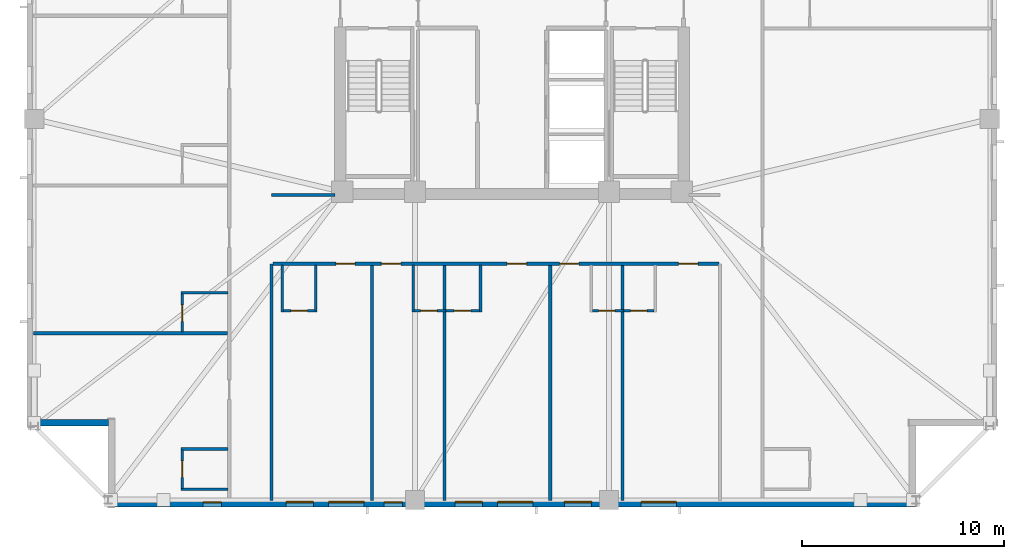
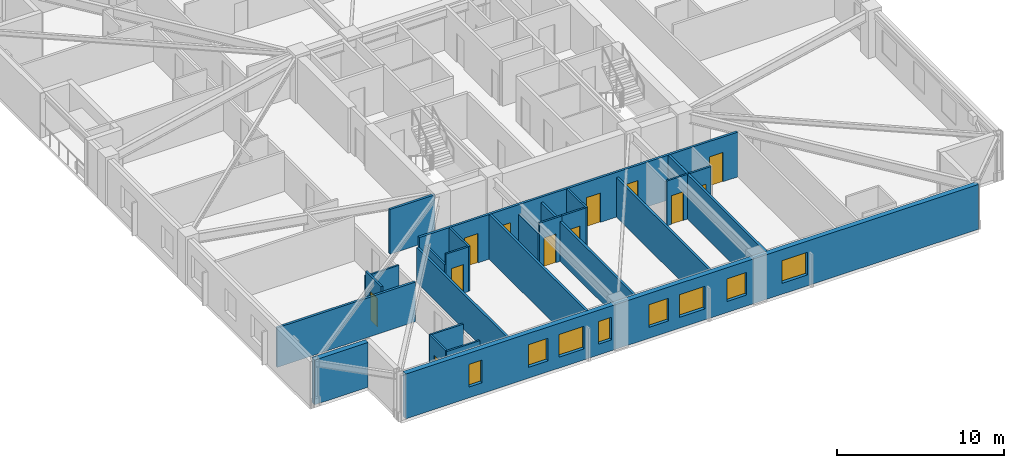
# One storey, part 2 of 11: 24 walls, 12 doors, 8 windows, 20 openings.
"""IFC4 building model written with IfcOpenShell, lengths in metres."""

from ifc_helpers import new_model, si_unit, direction, frame, frame_2d, origin, place, context, subcontext, project, spatial, rectangle, extrude, material, layer, layer_set, type_object, element, fill, save


model = new_model("IFC4")

# Units and contexts
model_context = context("Model", 3, precision=1e-05, world=origin(), true_north=direction((0.0, 1.0)))
body_context = subcontext(model_context, "Body", "Model", "MODEL_VIEW")
ifc_project = project(units=[si_unit("LENGTHUNIT", "METRE"), si_unit("AREAUNIT", "SQUARE_METRE"), si_unit("VOLUMEUNIT", "CUBIC_METRE"), si_unit("PLANEANGLEUNIT", "RADIAN"), si_unit("MASSUNIT", "GRAM", prefix="KILO")], contexts=[model_context])

# Site, building, storey
site_placement = place(None, origin())
site = spatial("IfcSite", under=ifc_project, at=site_placement, CompositionType="ELEMENT")
building_placement = place(site_placement, origin())
building = spatial("IfcBuilding", under=site, at=building_placement, Name="Cairnveth Concourse Tower", CompositionType="ELEMENT")
storey_placement = place(building_placement, frame((0.0, 0.0, 116.5)))
storey = spatial("IfcBuildingStorey", under=building, at=storey_placement, Name="L31", CompositionType="ELEMENT", Elevation=116.5)

# Walls
ifc_material_1 = material(Name="Gypsum Plasterboard Partition", Category="gypsum")
ifc_layer_1 = layer(ifc_material_1, 0.159912109375)
ifc_layer_set_1 = layer_set([ifc_layer_1], Name="Gypsum Plasterboard Partition")
wall_type_1 = type_object("IfcWallType", Name="ACOUSTIC PARTY WALL 180", PredefinedType="PARTITIONING", material=ifc_layer_set_1)
wall_1_placement = place(storey_placement, frame((40.10009765625, 15.324951171875, 0.0), z_axis=(0.0, 0.0, 1.0), x_axis=(0.0, 1.0, 0.0)))
element("IfcWall", 1, at=wall_1_placement, inside=storey, type_object=wall_type_1, Name="Interior Wall IW-L31-037", PredefinedType="PARTITIONING", context=body_context, shape_type="SweptSolid", body=[
    extrude(rectangle(XDim=11.715087890625, YDim=0.159912109375, at=frame_2d((5.857421875, 0.0))), origin(), (0.0, 0.0, 1.0), 2.554931640625),
])
wall_2_placement = place(storey_placement, frame((40.10009765625, 30.449951171875, 0.0), z_axis=(0.0, 0.0, 1.0), x_axis=(1.0, 0.0, 0.0)))
element("IfcWall", 2, at=wall_2_placement, inside=storey, type_object=wall_type_1, Name="Interior Wall IW-L31-039", PredefinedType="PARTITIONING", context=body_context, shape_type="SweptSolid", body=[
    extrude(rectangle(XDim=3.135009765625, YDim=0.159912109375, at=frame_2d((1.5673828125, 0.0))), origin(), (0.0, 0.0, 1.0), 3.280029296875),
])

# Wall, openings, doors
wall_3_placement = place(storey_placement, frame((40.1650390625, 27.0400390625, 0.0), z_axis=(0.0, 0.0, 1.0), x_axis=(1.0, 0.0, 0.0)))
wall_3 = element("IfcWall", 3, at=wall_3_placement, inside=storey, type_object=wall_type_1, Name="Interior Wall IW-L31-046", PredefinedType="PARTITIONING", context=body_context, shape_type="SweptSolid", body=[
    extrude(rectangle(XDim=22.070068359375, YDim=0.159912109375, at=frame_2d((11.03515625, 0.0))), origin(), (0.0, 0.0, 1.0), 3.280029296875),
])
opening_1_placement = place(wall_3_placement, frame((3.114990234375, 0.0, 0.0)))
opening_1 = element("IfcOpeningElement", 4, at=opening_1_placement, cuts=wall_3, Name="Opening ID09", PredefinedType="OPENING", context=body_context, shape_type="SweptSolid", body=[
    extrude(rectangle(XDim=0.9599609375, YDim=2.14990234375, at=frame_2d((0.47998046875, 1.074951171875))), frame((0.0, 0.08984375, 0.0), z_axis=(0.0, -1.0, 0.0), x_axis=(1.0, 0.0, 0.0)), (0.0, 0.0, 1.0), 0.179931640625),
])
opening_2_placement = place(wall_3_placement, frame((5.3720703125, 0.0, 0.0)))
opening_2 = element("IfcOpeningElement", 5, at=opening_2_placement, cuts=wall_3, Name="Opening ID09", PredefinedType="OPENING", context=body_context, shape_type="SweptSolid", body=[
    extrude(rectangle(XDim=0.9599609375, YDim=2.14990234375, at=frame_2d((0.47998046875, 1.074951171875))), frame((0.0, 0.08984375, 0.0), z_axis=(0.0, -1.0, 0.0), x_axis=(1.0, 0.0, 0.0)), (0.0, 0.0, 1.0), 0.179931640625),
])
opening_3_placement = place(wall_3_placement, frame((11.594482421875, 0.0, 0.0)))
opening_3 = element("IfcOpeningElement", 6, at=opening_3_placement, cuts=wall_3, Name="Opening ID09", PredefinedType="OPENING", context=body_context, shape_type="SweptSolid", body=[
    extrude(rectangle(XDim=0.9599609375, YDim=2.14990234375, at=frame_2d((0.47998046875, 1.074951171875))), frame((0.0, 0.08984375, 0.0), z_axis=(0.0, -1.0, 0.0), x_axis=(1.0, 0.0, 0.0)), (0.0, 0.0, 1.0), 0.179931640625),
])
opening_4_placement = place(wall_3_placement, frame((14.18798828125, 0.0, 0.0)))
opening_4 = element("IfcOpeningElement", 7, at=opening_4_placement, cuts=wall_3, Name="Opening ID09", PredefinedType="OPENING", context=body_context, shape_type="SweptSolid", body=[
    extrude(rectangle(XDim=0.9599609375, YDim=2.14990234375, at=frame_2d((0.47998046875, 1.074951171875))), frame((0.0, 0.08984375, 0.0), z_axis=(0.0, -1.0, 0.0), x_axis=(1.0, 0.0, 0.0)), (0.0, 0.0, 1.0), 0.179931640625),
])
opening_5_placement = place(wall_3_placement, frame((20.083984375, 0.0, 0.0)))
opening_5 = element("IfcOpeningElement", 8, at=opening_5_placement, cuts=wall_3, Name="Opening ID09", PredefinedType="OPENING", context=body_context, shape_type="SweptSolid", body=[
    extrude(rectangle(XDim=0.9599609375, YDim=2.14990234375, at=frame_2d((0.47998046875, 1.074951171875))), frame((0.0, 0.08984375, 0.0), z_axis=(0.0, -1.0, 0.0), x_axis=(1.0, 0.0, 0.0)), (0.0, 0.0, 1.0), 0.179931640625),
])
ifc_material_2 = material(Name="Solid Core Hardwood Timber Leaf", Category="wood")
door_type_1 = type_object("IfcDoorType", Name="HOTEL ENTRANCE DOOR 960X2150", OperationType="NOTDEFINED", PredefinedType="DOOR", material=ifc_material_2)
door_1_placement = place(opening_1_placement, origin())
door_1 = element("IfcDoor", 9, at=door_1_placement, inside=storey, type_object=door_type_1, Name="Hotel Room Door L31-S1", OperationType="SINGLE_SWING_LEFT", OverallHeight=2.14990234375, OverallWidth=0.9599609375, PredefinedType="DOOR", context=body_context, shape_type="SweptSolid", body=[
    extrude(rectangle(XDim=0.9599609375, YDim=2.14990234375, at=frame_2d((0.47998046875, 1.074951171875))), frame((0.0, 0.02490234375, 0.0), z_axis=(0.0, -1.0, 0.0), x_axis=(1.0, 0.0, 0.0)), (0.0, 0.0, 1.0), 0.050048828125),
])
fill(opening_1, door_1)
door_2_placement = place(opening_2_placement, origin())
door_2 = element("IfcDoor", 10, at=door_2_placement, inside=storey, type_object=door_type_1, Name="Hotel Room Door L31-S2", OperationType="SINGLE_SWING_LEFT", OverallHeight=2.14990234375, OverallWidth=0.9599609375, PredefinedType="DOOR", context=body_context, shape_type="SweptSolid", body=[
    extrude(rectangle(XDim=0.9599609375, YDim=2.14990234375, at=frame_2d((0.47998046875, 1.074951171875))), frame((0.0, 0.02490234375, 0.0), z_axis=(0.0, -1.0, 0.0), x_axis=(1.0, 0.0, 0.0)), (0.0, 0.0, 1.0), 0.050048828125),
])
fill(opening_2, door_2)
door_3_placement = place(opening_3_placement, origin())
door_3 = element("IfcDoor", 11, at=door_3_placement, inside=storey, type_object=door_type_1, Name="Hotel Room Door L31-S3", OperationType="SINGLE_SWING_LEFT", OverallHeight=2.14990234375, OverallWidth=0.9599609375, PredefinedType="DOOR", context=body_context, shape_type="SweptSolid", body=[
    extrude(rectangle(XDim=0.9599609375, YDim=2.14990234375, at=frame_2d((0.47998046875, 1.074951171875))), frame((0.0, 0.02490234375, 0.0), z_axis=(0.0, -1.0, 0.0), x_axis=(1.0, 0.0, 0.0)), (0.0, 0.0, 1.0), 0.050048828125),
])
fill(opening_3, door_3)
door_4_placement = place(opening_4_placement, origin())
door_4 = element("IfcDoor", 12, at=door_4_placement, inside=storey, type_object=door_type_1, Name="Hotel Room Door L31-S4", OperationType="SINGLE_SWING_LEFT", OverallHeight=2.14990234375, OverallWidth=0.9599609375, PredefinedType="DOOR", context=body_context, shape_type="SweptSolid", body=[
    extrude(rectangle(XDim=0.9599609375, YDim=2.14990234375, at=frame_2d((0.47998046875, 1.074951171875))), frame((0.0, 0.02490234375, 0.0), z_axis=(0.0, -1.0, 0.0), x_axis=(1.0, 0.0, 0.0)), (0.0, 0.0, 1.0), 0.050048828125),
])
fill(opening_4, door_4)
door_5_placement = place(opening_5_placement, origin())
door_5 = element("IfcDoor", 13, at=door_5_placement, inside=storey, type_object=door_type_1, Name="Hotel Room Door L31-S5", OperationType="SINGLE_SWING_LEFT", OverallHeight=2.14990234375, OverallWidth=0.9599609375, PredefinedType="DOOR", context=body_context, shape_type="SweptSolid", body=[
    extrude(rectangle(XDim=0.9599609375, YDim=2.14990234375, at=frame_2d((0.47998046875, 1.074951171875))), frame((0.0, 0.02490234375, 0.0), z_axis=(0.0, -1.0, 0.0), x_axis=(1.0, 0.0, 0.0)), (0.0, 0.0, 1.0), 0.050048828125),
])
fill(opening_5, door_5)

# Walls
wall_4_placement = place(storey_placement, frame((45.075439453125, 15.324951171875, 0.0), z_axis=(0.0, 0.0, 1.0), x_axis=(0.0, 1.0, 0.0)))
element("IfcWall", 14, at=wall_4_placement, inside=storey, type_object=wall_type_1, Name="Interior Wall IW-L31-052", PredefinedType="PARTITIONING", context=body_context, shape_type="SweptSolid", body=[
    extrude(rectangle(XDim=11.635009765625, YDim=0.159912109375, at=frame_2d((5.8173828125, 0.0))), origin(), (0.0, 0.0, 1.0), 3.280029296875),
])
for number, where, z_axis, x_axis, name in (
    (15, (48.658447265625, 15.324951171875, 0.0), (0.0, 0.0, 1.0), (0.0, 1.0, 0.0), "Interior Wall IW-L31-055"),
    (16, (53.8916015625, 15.324951171875, 0.0), (0.0, 0.0, 1.0), (0.0, 1.0, 0.0), "Interior Wall IW-L31-058"),
):
    element("IfcWall", number, at=place(storey_placement, frame(where, z_axis=z_axis, x_axis=x_axis)), inside=storey, type_object=wall_type_1, Name=name, PredefinedType="PARTITIONING", context=body_context, shape_type="SweptSolid", body=[
        extrude(rectangle(XDim=11.635009765625, YDim=0.159912109375, at=frame_2d((5.8173828125, 0.0))), origin(), (0.0, 0.0, 1.0), 2.89599609375),
    ])
wall_5_placement = place(storey_placement, frame((57.474609375, 15.324951171875, 0.0), z_axis=(0.0, 0.0, 1.0), x_axis=(0.0, 1.0, 0.0)))
element("IfcWall", 17, at=wall_5_placement, inside=storey, type_object=wall_type_1, Name="Interior Wall IW-L31-061", PredefinedType="PARTITIONING", context=body_context, shape_type="SweptSolid", body=[
    extrude(rectangle(XDim=11.635009765625, YDim=0.159912109375, at=frame_2d((5.8173828125, 0.0))), origin(), (0.0, 0.0, 1.0), 3.280029296875),
])
wall_6_placement = place(storey_placement, frame((28.324951171875, 23.596923828125, 0.0), z_axis=(0.0, 0.0, 1.0), x_axis=(1.0, 0.0, 0.0)))
element("IfcWall", 18, at=wall_6_placement, inside=storey, type_object=wall_type_1, Name="Interior Wall IW-L31-067", PredefinedType="PARTITIONING", context=body_context, shape_type="SweptSolid", body=[
    extrude(rectangle(XDim=9.594970703125, YDim=0.159912109375, at=frame_2d((4.79736328125, 0.0))), origin(), (0.0, 0.0, 1.0), 2.89599609375),
])
ifc_layer_2 = layer(ifc_material_1, 0.1298828125)
ifc_layer_set_2 = layer_set([ifc_layer_2], Name="Gypsum Plasterboard Partition")
wall_type_2 = type_object("IfcWallType", Name="WET AREA PARTITION 140", PredefinedType="PLUMBINGWALL", material=ifc_layer_set_2)
wall_7_placement = place(storey_placement, frame((40.6298828125, 24.659912109375, 0.0), z_axis=(0.0, 0.0, 1.0), x_axis=(0.0, 1.0, 0.0)))
element("IfcWall", 19, at=wall_7_placement, inside=storey, type_object=wall_type_2, Name="Interior Wall IW-L31-049", PredefinedType="PLUMBINGWALL", context=body_context, shape_type="SweptSolid", body=[
    extrude(rectangle(XDim=2.315185546875, YDim=0.1298828125, at=frame_2d((1.15771484375, 0.0))), origin(), (0.0, 0.0, 1.0), 2.554931640625),
])
wall_8_placement = place(storey_placement, frame((42.29443359375, 24.659912109375, 0.0), z_axis=(0.0, 0.0, 1.0), x_axis=(0.0, 1.0, 0.0)))
element("IfcWall", 20, at=wall_8_placement, inside=storey, type_object=wall_type_2, Name="Interior Wall IW-L31-050", PredefinedType="PLUMBINGWALL", context=body_context, shape_type="SweptSolid", body=[
    extrude(rectangle(XDim=2.315185546875, YDim=0.1298828125, at=frame_2d((1.15771484375, 0.0))), origin(), (0.0, 0.0, 1.0), 3.280029296875),
])

# Wall, opening, door
wall_9_placement = place(storey_placement, frame((40.679931640625, 24.7099609375, 0.0), z_axis=(0.0, 0.0, 1.0), x_axis=(1.0, 0.0, 0.0)))
wall_9 = element("IfcWall", 21, at=wall_9_placement, inside=storey, type_object=wall_type_2, Name="Interior Wall IW-L31-051", PredefinedType="PLUMBINGWALL", context=body_context, shape_type="SweptSolid", body=[
    extrude(rectangle(XDim=1.564453125, YDim=0.1298828125, at=frame_2d((0.7822265625, 0.0))), origin(), (0.0, 0.0, 1.0), 3.280029296875),
])
opening_6_placement = place(wall_9_placement, frame((0.372314453125, 0.0, 0.0)))
opening_6 = element("IfcOpeningElement", 22, at=opening_6_placement, cuts=wall_9, Name="Opening ID22", PredefinedType="OPENING", context=body_context, shape_type="SweptSolid", body=[
    extrude(rectangle(XDim=0.820068359375, YDim=2.10009765625, at=frame_2d((0.41015625, 1.050048828125))), frame((0.0, 0.074951171875, 0.0), z_axis=(0.0, -1.0, 0.0), x_axis=(1.0, 0.0, 0.0)), (0.0, 0.0, 1.0), 0.14990234375),
])
door_type_2 = type_object("IfcDoorType", Name="INTERIOR WC DOOR 820X2100", OperationType="NOTDEFINED", PredefinedType="DOOR", material=ifc_material_2)
door_6_placement = place(opening_6_placement, origin())
door_6 = element("IfcDoor", 23, at=door_6_placement, inside=storey, type_object=door_type_2, Name="En-Suite Door L31-S1", OperationType="SINGLE_SWING_RIGHT", OverallHeight=2.10009765625, OverallWidth=0.820068359375, PredefinedType="DOOR", context=body_context, shape_type="SweptSolid", body=[
    extrude(rectangle(XDim=0.820068359375, YDim=2.10009765625, at=frame_2d((0.41015625, 1.050048828125))), frame((0.0, 0.02490234375, 0.0), z_axis=(0.0, -1.0, 0.0), x_axis=(1.0, 0.0, 0.0)), (0.0, 0.0, 1.0), 0.050048828125),
])
fill(opening_6, door_6)

# Wall
wall_10_placement = place(storey_placement, frame((47.1083984375, 24.659912109375, 0.0), z_axis=(0.0, 0.0, 1.0), x_axis=(0.0, 1.0, 0.0)))
element("IfcWall", 24, at=wall_10_placement, inside=storey, type_object=wall_type_2, Name="Interior Wall IW-L31-053", PredefinedType="PLUMBINGWALL", context=body_context, shape_type="SweptSolid", body=[
    extrude(rectangle(XDim=2.315185546875, YDim=0.1298828125, at=frame_2d((1.15771484375, 0.0))), origin(), (0.0, 0.0, 1.0), 2.554931640625),
])

# Wall, opening, door
wall_11_placement = place(storey_placement, frame((47.158447265625, 24.7099609375, 0.0), z_axis=(0.0, 0.0, 1.0), x_axis=(1.0, 0.0, 0.0)))
wall_11 = element("IfcWall", 25, at=wall_11_placement, inside=storey, type_object=wall_type_2, Name="Interior Wall IW-L31-054", PredefinedType="PLUMBINGWALL", context=body_context, shape_type="SweptSolid", body=[
    extrude(rectangle(XDim=1.550048828125, YDim=0.1298828125, at=frame_2d((0.77490234375, 0.0))), origin(), (0.0, 0.0, 1.0), 3.280029296875),
])
opening_7_placement = place(wall_11_placement, frame((0.31494140625, 0.0, 0.0)))
opening_7 = element("IfcOpeningElement", 26, at=opening_7_placement, cuts=wall_11, Name="Opening ID22", PredefinedType="OPENING", context=body_context, shape_type="SweptSolid", body=[
    extrude(rectangle(XDim=0.820068359375, YDim=2.10009765625, at=frame_2d((0.41015625, 1.050048828125))), frame((0.0, 0.074951171875, 0.0), z_axis=(0.0, -1.0, 0.0), x_axis=(1.0, 0.0, 0.0)), (0.0, 0.0, 1.0), 0.14990234375),
])
door_7_placement = place(opening_7_placement, origin())
door_7 = element("IfcDoor", 27, at=door_7_placement, inside=storey, type_object=door_type_2, Name="En-Suite Door L31-S2", OperationType="SINGLE_SWING_RIGHT", OverallHeight=2.10009765625, OverallWidth=0.820068359375, PredefinedType="DOOR", context=body_context, shape_type="SweptSolid", body=[
    extrude(rectangle(XDim=0.820068359375, YDim=2.10009765625, at=frame_2d((0.41015625, 1.050048828125))), frame((0.0, 0.02490234375, 0.0), z_axis=(0.0, -1.0, 0.0), x_axis=(1.0, 0.0, 0.0)), (0.0, 0.0, 1.0), 0.050048828125),
])
fill(opening_7, door_7)

# Wall
wall_12_placement = place(storey_placement, frame((50.437744140625, 24.659912109375, 0.0), z_axis=(0.0, 0.0, 1.0), x_axis=(0.0, 1.0, 0.0)))
element("IfcWall", 28, at=wall_12_placement, inside=storey, type_object=wall_type_2, Name="Interior Wall IW-L31-056", PredefinedType="PLUMBINGWALL", context=body_context, shape_type="SweptSolid", body=[
    extrude(rectangle(XDim=2.315185546875, YDim=0.1298828125, at=frame_2d((1.15771484375, 0.0))), origin(), (0.0, 0.0, 1.0), 3.280029296875),
])

# Wall, opening, door
wall_13_placement = place(storey_placement, frame((48.723388671875, 24.7099609375, 0.0), z_axis=(0.0, 0.0, 1.0), x_axis=(1.0, 0.0, 0.0)))
wall_13 = element("IfcWall", 29, at=wall_13_placement, inside=storey, type_object=wall_type_2, Name="Interior Wall IW-L31-057", PredefinedType="PLUMBINGWALL", context=body_context, shape_type="SweptSolid", body=[
    extrude(rectangle(XDim=1.664306640625, YDim=0.1298828125, at=frame_2d((0.83203125, 0.0))), origin(), (0.0, 0.0, 1.0), 3.280029296875),
])
opening_8_placement = place(wall_13_placement, frame((0.41455078125, 0.0, 0.0)))
opening_8 = element("IfcOpeningElement", 30, at=opening_8_placement, cuts=wall_13, Name="Opening ID22", PredefinedType="OPENING", context=body_context, shape_type="SweptSolid", body=[
    extrude(rectangle(XDim=0.820068359375, YDim=2.10009765625, at=frame_2d((0.41015625, 1.050048828125))), frame((0.0, 0.074951171875, 0.0), z_axis=(0.0, -1.0, 0.0), x_axis=(1.0, 0.0, 0.0)), (0.0, 0.0, 1.0), 0.14990234375),
])
door_8_placement = place(opening_8_placement, origin())
door_8 = element("IfcDoor", 31, at=door_8_placement, inside=storey, type_object=door_type_2, Name="En-Suite Door L31-S3", OperationType="SINGLE_SWING_RIGHT", OverallHeight=2.10009765625, OverallWidth=0.820068359375, PredefinedType="DOOR", context=body_context, shape_type="SweptSolid", body=[
    extrude(rectangle(XDim=0.820068359375, YDim=2.10009765625, at=frame_2d((0.41015625, 1.050048828125))), frame((0.0, 0.02490234375, 0.0), z_axis=(0.0, -1.0, 0.0), x_axis=(1.0, 0.0, 0.0)), (0.0, 0.0, 1.0), 0.050048828125),
])
fill(opening_8, door_8)

wall_14_placement = place(storey_placement, frame((55.974609375, 24.7099609375, 0.0), z_axis=(0.0, 0.0, 1.0), x_axis=(1.0, 0.0, 0.0)))
wall_14 = element("IfcWall", 32, at=wall_14_placement, inside=storey, type_object=wall_type_2, Name="Interior Wall IW-L31-060", PredefinedType="PLUMBINGWALL", context=body_context, shape_type="SweptSolid", body=[
    extrude(rectangle(XDim=1.5498046875, YDim=0.1298828125, at=frame_2d((0.77490234375, 0.0))), origin(), (0.0, 0.0, 1.0), 3.280029296875),
])
opening_9_placement = place(wall_14_placement, frame((0.31494140625, 0.0, 0.0)))
opening_9 = element("IfcOpeningElement", 33, at=opening_9_placement, cuts=wall_14, Name="Opening ID22", PredefinedType="OPENING", context=body_context, shape_type="SweptSolid", body=[
    extrude(rectangle(XDim=0.820068359375, YDim=2.10009765625, at=frame_2d((0.41015625, 1.050048828125))), frame((0.0, 0.074951171875, 0.0), z_axis=(0.0, -1.0, 0.0), x_axis=(1.0, 0.0, 0.0)), (0.0, 0.0, 1.0), 0.14990234375),
])
door_9_placement = place(opening_9_placement, origin())
door_9 = element("IfcDoor", 34, at=door_9_placement, inside=storey, type_object=door_type_2, Name="En-Suite Door L31-S4", OperationType="SINGLE_SWING_RIGHT", OverallHeight=2.10009765625, OverallWidth=0.820068359375, PredefinedType="DOOR", context=body_context, shape_type="SweptSolid", body=[
    extrude(rectangle(XDim=0.820068359375, YDim=2.10009765625, at=frame_2d((0.41015625, 1.050048828125))), frame((0.0, 0.02490234375, 0.0), z_axis=(0.0, -1.0, 0.0), x_axis=(1.0, 0.0, 0.0)), (0.0, 0.0, 1.0), 0.050048828125),
])
fill(opening_9, door_9)

wall_15_placement = place(storey_placement, frame((57.53955078125, 24.7099609375, 0.0), z_axis=(0.0, 0.0, 1.0), x_axis=(1.0, 0.0, 0.0)))
wall_15 = element("IfcWall", 35, at=wall_15_placement, inside=storey, type_object=wall_type_2, Name="Interior Wall IW-L31-063", PredefinedType="PLUMBINGWALL", context=body_context, shape_type="SweptSolid", body=[
    extrude(rectangle(XDim=1.49853515625, YDim=0.1298828125, at=frame_2d((0.749267578125, 0.0))), origin(), (0.0, 0.0, 1.0), 3.280029296875),
])
opening_10_placement = place(wall_15_placement, frame((0.331787109375, 0.0, 0.0)))
opening_10 = element("IfcOpeningElement", 36, at=opening_10_placement, cuts=wall_15, Name="Opening ID22", PredefinedType="OPENING", context=body_context, shape_type="SweptSolid", body=[
    extrude(rectangle(XDim=0.820068359375, YDim=2.10009765625, at=frame_2d((0.41015625, 1.050048828125))), frame((0.0, 0.074951171875, 0.0), z_axis=(0.0, -1.0, 0.0), x_axis=(1.0, 0.0, 0.0)), (0.0, 0.0, 1.0), 0.14990234375),
])
door_10_placement = place(opening_10_placement, origin())
door_10 = element("IfcDoor", 37, at=door_10_placement, inside=storey, type_object=door_type_2, Name="En-Suite Door L31-S5", OperationType="SINGLE_SWING_RIGHT", OverallHeight=2.10009765625, OverallWidth=0.820068359375, PredefinedType="DOOR", context=body_context, shape_type="SweptSolid", body=[
    extrude(rectangle(XDim=0.820068359375, YDim=2.10009765625, at=frame_2d((0.41015625, 1.050048828125))), frame((0.0, 0.02490234375, 0.0), z_axis=(0.0, -1.0, 0.0), x_axis=(1.0, 0.0, 0.0)), (0.0, 0.0, 1.0), 0.050048828125),
])
fill(opening_10, door_10)

# Walls
for number, where, z_axis, x_axis, name in (
    (38, (35.6201171875, 15.8701171875, 0.0), (0.0, 0.0, 1.0), (1.0, 0.0, 0.0), "Interior Wall IW-L31-064"),
    (39, (35.6201171875, 17.8701171875, 0.0), (0.0, 0.0, 1.0), (1.0, 0.0, 0.0), "Interior Wall IW-L31-065"),
):
    element("IfcWall", number, at=place(storey_placement, frame(where, z_axis=z_axis, x_axis=x_axis)), inside=storey, type_object=wall_type_2, Name=name, PredefinedType="PLUMBINGWALL", context=body_context, shape_type="SweptSolid", body=[
        extrude(rectangle(XDim=2.31494140625, YDim=0.1298828125, at=frame_2d((1.157470703125, 0.0))), origin(), (0.0, 0.0, 1.0), 3.280029296875),
    ])

# Wall, opening, door
wall_16_placement = place(storey_placement, frame((35.669921875, 15.919921875, 0.0), z_axis=(0.0, 0.0, 1.0), x_axis=(0.0, 1.0, 0.0)))
wall_16 = element("IfcWall", 40, at=wall_16_placement, inside=storey, type_object=wall_type_2, Name="Interior Wall IW-L31-066", PredefinedType="PLUMBINGWALL", context=body_context, shape_type="SweptSolid", body=[
    extrude(rectangle(XDim=1.900146484375, YDim=0.1298828125, at=frame_2d((0.9501953125, 0.0))), origin(), (0.0, 0.0, 1.0), 3.280029296875),
])
opening_11_placement = place(wall_16_placement, frame((0.5400390625, 0.0, 0.0)))
opening_11 = element("IfcOpeningElement", 41, at=opening_11_placement, cuts=wall_16, Name="Opening ID22", PredefinedType="OPENING", context=body_context, shape_type="SweptSolid", body=[
    extrude(rectangle(XDim=0.820068359375, YDim=2.10009765625, at=frame_2d((0.41015625, 1.050048828125))), frame((0.0, 0.074951171875, 0.0), z_axis=(0.0, -1.0, 0.0), x_axis=(1.0, 0.0, 0.0)), (0.0, 0.0, 1.0), 0.14990234375),
])
door_11_placement = place(opening_11_placement, origin())
door_11 = element("IfcDoor", 42, at=door_11_placement, inside=storey, type_object=door_type_2, Name="En-Suite Door L31-W1", OperationType="SINGLE_SWING_RIGHT", OverallHeight=2.10009765625, OverallWidth=0.820068359375, PredefinedType="DOOR", context=body_context, shape_type="SweptSolid", body=[
    extrude(rectangle(XDim=0.820068359375, YDim=2.10009765625, at=frame_2d((0.41015625, 1.050048828125))), frame((0.0, 0.02490234375, 0.0), z_axis=(0.0, -1.0, 0.0), x_axis=(1.0, 0.0, 0.0)), (0.0, 0.0, 1.0), 0.050048828125),
])
fill(opening_11, door_11)

# Wall
wall_17_placement = place(storey_placement, frame((35.6201171875, 25.596923828125, 0.0), z_axis=(0.0, 0.0, 1.0), x_axis=(1.0, 0.0, 0.0)))
element("IfcWall", 43, at=wall_17_placement, inside=storey, type_object=wall_type_2, Name="Interior Wall IW-L31-068", PredefinedType="PLUMBINGWALL", context=body_context, shape_type="SweptSolid", body=[
    extrude(rectangle(XDim=2.31494140625, YDim=0.1298828125, at=frame_2d((1.157470703125, 0.0))), origin(), (0.0, 0.0, 1.0), 2.89599609375),
])

# Wall, opening, door
wall_18_placement = place(storey_placement, frame((35.669921875, 23.661865234375, 0.0), z_axis=(0.0, 0.0, 1.0), x_axis=(0.0, 1.0, 0.0)))
wall_18 = element("IfcWall", 44, at=wall_18_placement, inside=storey, type_object=wall_type_2, Name="Interior Wall IW-L31-069", PredefinedType="PLUMBINGWALL", context=body_context, shape_type="SweptSolid", body=[
    extrude(rectangle(XDim=1.885009765625, YDim=0.1298828125, at=frame_2d((0.9423828125, 0.0))), origin(), (0.0, 0.0, 1.0), 3.280029296875),
])
opening_12_placement = place(wall_18_placement, frame((0.52490234375, 0.0, 0.0)))
opening_12 = element("IfcOpeningElement", 45, at=opening_12_placement, cuts=wall_18, Name="Opening ID22", PredefinedType="OPENING", context=body_context, shape_type="SweptSolid", body=[
    extrude(rectangle(XDim=0.820068359375, YDim=2.10009765625, at=frame_2d((0.41015625, 1.050048828125))), frame((0.0, 0.074951171875, 0.0), z_axis=(0.0, -1.0, 0.0), x_axis=(1.0, 0.0, 0.0)), (0.0, 0.0, 1.0), 0.14990234375),
])
door_12_placement = place(opening_12_placement, origin())
door_12 = element("IfcDoor", 46, at=door_12_placement, inside=storey, type_object=door_type_2, Name="En-Suite Door L31-W2", OperationType="SINGLE_SWING_RIGHT", OverallHeight=2.10009765625, OverallWidth=0.820068359375, PredefinedType="DOOR", context=body_context, shape_type="SweptSolid", body=[
    extrude(rectangle(XDim=0.820068359375, YDim=2.10009765625, at=frame_2d((0.41015625, 1.050048828125))), frame((0.0, 0.02490234375, 0.0), z_axis=(0.0, -1.0, 0.0), x_axis=(1.0, 0.0, 0.0)), (0.0, 0.0, 1.0), 0.050048828125),
])
fill(opening_12, door_12)

# Wall, openings, windows
ifc_material_3 = material(Name="Hawthorn Red-Ochre Fired Clay Brick Masonry", Category="masonry")
ifc_layer_3 = layer(ifc_material_3, 0.340087890625)
ifc_layer_set_3 = layer_set([ifc_layer_3], Name="Hawthorn Red-Ochre Fired Clay Brick Masonry")
wall_type_3 = type_object("IfcWallType", Name="ZONE 2 BRICK PIER SPANDREL WALL 340", PredefinedType="SOLIDWALL", material=ifc_layer_set_3)
wall_19_placement = place(storey_placement, frame((72.0, 15.169921875, 0.0), z_axis=(0.0, 0.0, 1.0), x_axis=(-1.0, 0.0, 0.0)))
wall_19 = element("IfcWall", 47, at=wall_19_placement, inside=storey, type_object=wall_type_3, Name="Exterior Wall EW-L31-S09", PredefinedType="SOLIDWALL", context=body_context, shape_type="SweptSolid", body=[
    extrude(rectangle(XDim=39.681884765625, YDim=0.340087890625, at=frame_2d((19.8408203125, 0.0))), origin(), (0.0, 0.0, 1.0), 3.280029296875),
])
opening_13_placement = place(wall_19_placement, frame((11.85888671875, 0.0, 0.800048828125)))
opening_13 = element("IfcOpeningElement", 48, at=opening_13_placement, cuts=wall_19, Name="Opening W06", PredefinedType="OPENING", context=body_context, shape_type="SweptSolid", body=[
    extrude(rectangle(XDim=1.75, YDim=1.659912109375, at=frame_2d((0.875, 0.830078125))), frame((0.0, 0.179931640625, 0.0), z_axis=(0.0, -1.0, 0.0), x_axis=(1.0, 0.0, 0.0)), (0.0, 0.0, 1.0), 0.360107421875),
])
opening_14_placement = place(wall_19_placement, frame((16.0625, 0.0, 0.800048828125)))
opening_14 = element("IfcOpeningElement", 49, at=opening_14_placement, cuts=wall_19, Name="Opening W02", PredefinedType="OPENING", context=body_context, shape_type="SweptSolid", body=[
    extrude(rectangle(XDim=1.35009765625, YDim=1.659912109375, at=frame_2d((0.675048828125, 0.830078125))), frame((0.0, 0.179931640625, 0.0), z_axis=(0.0, -1.0, 0.0), x_axis=(1.0, 0.0, 0.0)), (0.0, 0.0, 1.0), 0.360107421875),
])
opening_15_placement = place(wall_19_placement, frame((18.966064453125, 0.0, 0.800048828125)))
opening_15 = element("IfcOpeningElement", 50, at=opening_15_placement, cuts=wall_19, Name="Opening W06", PredefinedType="OPENING", context=body_context, shape_type="SweptSolid", body=[
    extrude(rectangle(XDim=1.75, YDim=1.659912109375, at=frame_2d((0.875, 0.830078125))), frame((0.0, 0.179931640625, 0.0), z_axis=(0.0, -1.0, 0.0), x_axis=(1.0, 0.0, 0.0)), (0.0, 0.0, 1.0), 0.360107421875),
])
opening_16_placement = place(wall_19_placement, frame((21.469482421875, 0.0, 0.800048828125)))
opening_16 = element("IfcOpeningElement", 51, at=opening_16_placement, cuts=wall_19, Name="Opening W02", PredefinedType="OPENING", context=body_context, shape_type="SweptSolid", body=[
    extrude(rectangle(XDim=1.35009765625, YDim=1.659912109375, at=frame_2d((0.675048828125, 0.830078125))), frame((0.0, 0.179931640625, 0.0), z_axis=(0.0, -1.0, 0.0), x_axis=(1.0, 0.0, 0.0)), (0.0, 0.0, 1.0), 0.360107421875),
])
opening_17_placement = place(wall_19_placement, frame((27.322998046875, 0.0, 0.800048828125)))
opening_17 = element("IfcOpeningElement", 52, at=opening_17_placement, cuts=wall_19, Name="Opening W06", PredefinedType="OPENING", context=body_context, shape_type="SweptSolid", body=[
    extrude(rectangle(XDim=1.75, YDim=1.659912109375, at=frame_2d((0.875, 0.830078125))), frame((0.0, 0.179931640625, 0.0), z_axis=(0.0, -1.0, 0.0), x_axis=(1.0, 0.0, 0.0)), (0.0, 0.0, 1.0), 0.360107421875),
])
opening_18_placement = place(wall_19_placement, frame((29.82666015625, 0.0, 0.800048828125)))
opening_18 = element("IfcOpeningElement", 53, at=opening_18_placement, cuts=wall_19, Name="Opening W02", PredefinedType="OPENING", context=body_context, shape_type="SweptSolid", body=[
    extrude(rectangle(XDim=1.35009765625, YDim=1.659912109375, at=frame_2d((0.675048828125, 0.830078125))), frame((0.0, 0.179931640625, 0.0), z_axis=(0.0, -1.0, 0.0), x_axis=(1.0, 0.0, 0.0)), (0.0, 0.0, 1.0), 0.360107421875),
])
opening_19_placement = place(wall_19_placement, frame((25.429931640625, 0.0, 0.800048828125)))
opening_19 = element("IfcOpeningElement", 54, at=opening_19_placement, cuts=wall_19, Name="Opening W13", PredefinedType="OPENING", context=body_context, shape_type="SweptSolid", body=[
    extrude(rectangle(XDim=0.89990234375, YDim=1.659912109375, at=frame_2d((0.449951171875, 0.830078125))), frame((0.0, 0.179931640625, 0.0), z_axis=(0.0, -1.0, 0.0), x_axis=(1.0, 0.0, 0.0)), (0.0, 0.0, 1.0), 0.360107421875),
])
opening_20_placement = place(wall_19_placement, frame((34.389892578125, 0.0, 0.800048828125)))
opening_20 = element("IfcOpeningElement", 55, at=opening_20_placement, cuts=wall_19, Name="Opening W13", PredefinedType="OPENING", context=body_context, shape_type="SweptSolid", body=[
    extrude(rectangle(XDim=0.89990234375, YDim=1.659912109375, at=frame_2d((0.449951171875, 0.830078125))), frame((0.0, 0.179931640625, 0.0), z_axis=(0.0, -1.0, 0.0), x_axis=(1.0, 0.0, 0.0)), (0.0, 0.0, 1.0), 0.360107421875),
])
ifc_material_4 = material(Name="Double Glazed Low-E Clear Glass", Category="glass")
window_type_1 = type_object("IfcWindowType", Name="DEEP-SET BEDROOM LANCET WINDOW 900X1750", PartitioningType="DOUBLE_PANEL_VERTICAL", PredefinedType="WINDOW", material=ifc_material_4)
window_1_placement = place(opening_19_placement, origin())
window_1 = element("IfcWindow", 56, at=window_1_placement, inside=storey, type_object=window_type_1, Name="Dwelling Lancet Window L31-DW1", OverallHeight=1.659912109375, OverallWidth=0.89990234375, PartitioningType="SINGLE_PANEL", PredefinedType="WINDOW", context=body_context, shape_type="SweptSolid", body=[
    extrude(rectangle(XDim=0.89990234375, YDim=1.659912109375, at=frame_2d((0.449951171875, 0.830078125))), frame((0.0, -0.0400390625, 0.0), z_axis=(0.0, -1.0, 0.0), x_axis=(1.0, 0.0, 0.0)), (0.0, 0.0, 1.0), 0.06005859375),
])
fill(opening_19, window_1)
window_2_placement = place(opening_20_placement, origin())
window_2 = element("IfcWindow", 57, at=window_2_placement, inside=storey, type_object=window_type_1, Name="Dwelling Lancet Window L31-DW2", OverallHeight=1.659912109375, OverallWidth=0.89990234375, PartitioningType="SINGLE_PANEL", PredefinedType="WINDOW", context=body_context, shape_type="SweptSolid", body=[
    extrude(rectangle(XDim=0.89990234375, YDim=1.659912109375, at=frame_2d((0.449951171875, 0.830078125))), frame((0.0, -0.0400390625, 0.0), z_axis=(0.0, -1.0, 0.0), x_axis=(1.0, 0.0, 0.0)), (0.0, 0.0, 1.0), 0.06005859375),
])
fill(opening_20, window_2)
window_type_2 = type_object("IfcWindowType", Name="DEEP-SET GOTHIC LANCET WINDOW 1350X1800", PartitioningType="DOUBLE_PANEL_VERTICAL", PredefinedType="WINDOW", material=ifc_material_4)
window_3_placement = place(opening_14_placement, origin())
window_3 = element("IfcWindow", 58, at=window_3_placement, inside=storey, type_object=window_type_2, Name="Gothic Lancet Window L31-9-4", OverallHeight=1.659912109375, OverallWidth=1.35009765625, PartitioningType="SINGLE_PANEL", PredefinedType="WINDOW", context=body_context, shape_type="SweptSolid", body=[
    extrude(rectangle(XDim=1.35009765625, YDim=1.659912109375, at=frame_2d((0.675048828125, 0.830078125))), frame((0.0, -0.050048828125, 0.0), z_axis=(0.0, -1.0, 0.0), x_axis=(1.0, 0.0, 0.0)), (0.0, 0.0, 1.0), 0.06005859375),
])
fill(opening_14, window_3)
window_4_placement = place(opening_16_placement, origin())
window_4 = element("IfcWindow", 59, at=window_4_placement, inside=storey, type_object=window_type_2, Name="Gothic Lancet Window L31-9-6", OverallHeight=1.659912109375, OverallWidth=1.35009765625, PartitioningType="SINGLE_PANEL", PredefinedType="WINDOW", context=body_context, shape_type="SweptSolid", body=[
    extrude(rectangle(XDim=1.35009765625, YDim=1.659912109375, at=frame_2d((0.675048828125, 0.830078125))), frame((0.0, -0.050048828125, 0.0), z_axis=(0.0, -1.0, 0.0), x_axis=(1.0, 0.0, 0.0)), (0.0, 0.0, 1.0), 0.06005859375),
])
fill(opening_16, window_4)
window_5_placement = place(opening_18_placement, origin())
window_5 = element("IfcWindow", 60, at=window_5_placement, inside=storey, type_object=window_type_2, Name="Gothic Lancet Window L31-9-8", OverallHeight=1.659912109375, OverallWidth=1.35009765625, PartitioningType="SINGLE_PANEL", PredefinedType="WINDOW", context=body_context, shape_type="SweptSolid", body=[
    extrude(rectangle(XDim=1.35009765625, YDim=1.659912109375, at=frame_2d((0.675048828125, 0.830078125))), frame((0.0, -0.050048828125, 0.0), z_axis=(0.0, -1.0, 0.0), x_axis=(1.0, 0.0, 0.0)), (0.0, 0.0, 1.0), 0.06005859375),
])
fill(opening_18, window_5)
window_type_3 = type_object("IfcWindowType", Name="DEEP-SET HOTEL SUITE WINDOW 1750X1800", PartitioningType="DOUBLE_PANEL_VERTICAL", PredefinedType="WINDOW", material=ifc_material_4)
window_6_placement = place(opening_13_placement, origin())
window_6 = element("IfcWindow", 61, at=window_6_placement, inside=storey, type_object=window_type_3, Name="Gothic Lancet Window L31-9-3", OverallHeight=1.659912109375, OverallWidth=1.75, PartitioningType="SINGLE_PANEL", PredefinedType="WINDOW", context=body_context, shape_type="SweptSolid", body=[
    extrude(rectangle(XDim=1.75, YDim=1.659912109375, at=frame_2d((0.875, 0.830078125))), frame((0.0, -0.050048828125, 0.0), z_axis=(0.0, -1.0, 0.0), x_axis=(1.0, 0.0, 0.0)), (0.0, 0.0, 1.0), 0.06005859375),
])
fill(opening_13, window_6)
window_7_placement = place(opening_15_placement, origin())
window_7 = element("IfcWindow", 62, at=window_7_placement, inside=storey, type_object=window_type_3, Name="Gothic Lancet Window L31-9-5", OverallHeight=1.659912109375, OverallWidth=1.75, PartitioningType="SINGLE_PANEL", PredefinedType="WINDOW", context=body_context, shape_type="SweptSolid", body=[
    extrude(rectangle(XDim=1.75, YDim=1.659912109375, at=frame_2d((0.875, 0.830078125))), frame((0.0, -0.050048828125, 0.0), z_axis=(0.0, -1.0, 0.0), x_axis=(1.0, 0.0, 0.0)), (0.0, 0.0, 1.0), 0.06005859375),
])
fill(opening_15, window_7)
window_8_placement = place(opening_17_placement, origin())
window_8 = element("IfcWindow", 63, at=window_8_placement, inside=storey, type_object=window_type_3, Name="Gothic Lancet Window L31-9-7", OverallHeight=1.659912109375, OverallWidth=1.75, PartitioningType="SINGLE_PANEL", PredefinedType="WINDOW", context=body_context, shape_type="SweptSolid", body=[
    extrude(rectangle(XDim=1.75, YDim=1.659912109375, at=frame_2d((0.875, 0.830078125))), frame((0.0, -0.050048828125, 0.0), z_axis=(0.0, -1.0, 0.0), x_axis=(1.0, 0.0, 0.0)), (0.0, 0.0, 1.0), 0.06005859375),
])
fill(opening_17, window_8)

# Wall
wall_20_placement = place(storey_placement, frame((32.02197265625, 19.169921875, 0.0), z_axis=(0.0, 0.0, 1.0), x_axis=(-1.0, 0.0, 0.0)))
element("IfcWall", 64, at=wall_20_placement, inside=storey, type_object=wall_type_3, Name="Exterior Wall EW-L31-S11", PredefinedType="SOLIDWALL", context=body_context, shape_type="SweptSolid", body=[
    extrude(rectangle(XDim=3.703857421875, YDim=0.340087890625, at=frame_2d((1.85205078125, 0.0))), origin(), (0.0, 0.0, 1.0), 3.280029296875),
])

save(model, "model.ifc")
